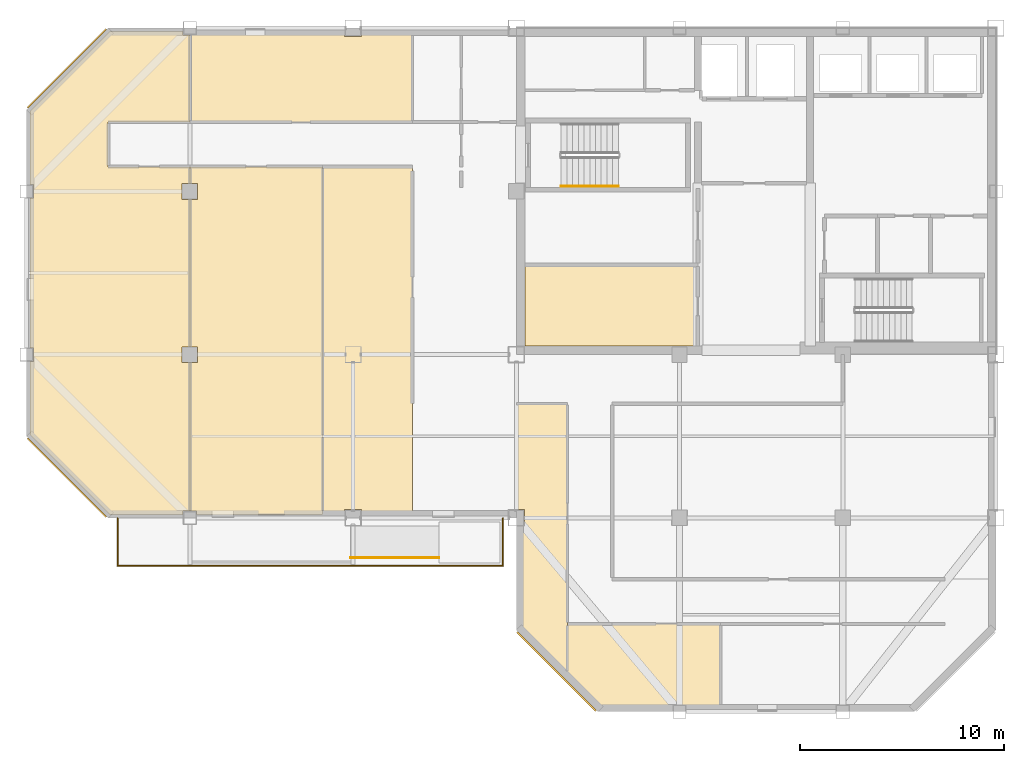
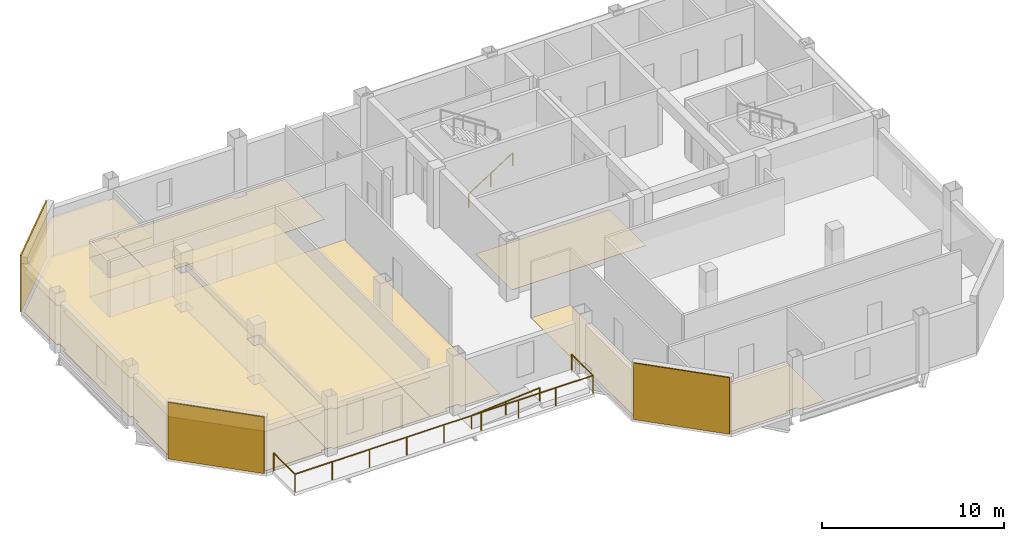
# One storey, part 5 of 7: 12 coverings, 3 railings.
"""IFC4 building model written with IfcOpenShell, lengths in metres."""

from ifc_helpers import new_model, si_unit, direction, frame, origin, origin_2d, place, context, subcontext, project, spatial, polyline, rectangle, circle, outline, extrude, material, layer, layer_set, type_object, element, save


model = new_model("IFC4")

# Units and contexts
model_context = context("Model", 3, precision=1e-05, world=origin(), true_north=direction((0.0, 1.0)))
body_context = subcontext(model_context, "Body", "Model", "MODEL_VIEW")
ifc_project = project(units=[si_unit("LENGTHUNIT", "METRE"), si_unit("AREAUNIT", "SQUARE_METRE"), si_unit("VOLUMEUNIT", "CUBIC_METRE"), si_unit("PLANEANGLEUNIT", "RADIAN"), si_unit("MASSUNIT", "GRAM", prefix="KILO")], contexts=[model_context])

# Site, building, storey
site_placement = place(None, origin())
site = spatial("IfcSite", under=ifc_project, at=site_placement, CompositionType="ELEMENT")
building_placement = place(site_placement, origin())
building = spatial("IfcBuilding", under=site, at=building_placement, Name="Qianrong Seaharbour Tower", CompositionType="ELEMENT")
storey_placement = place(building_placement, frame((0.0, 0.0, 323.199951171875)))
storey = spatial("IfcBuildingStorey", under=building, at=storey_placement, Name="L78", CompositionType="ELEMENT", Elevation=323.199951171875)

# Coverings
ifc_material_1 = material(Name="Mineral fibre acoustic suspended ceiling board")
ifc_layer_1 = layer(ifc_material_1, 0.0400390625)
ifc_layer_set_1 = layer_set([ifc_layer_1], Name="Mineral fibre acoustic suspended ceiling board")
covering_type_1 = type_object("IfcCoveringType", Name="COV-CEIL-ACOUSTIC-40", PredefinedType="CEILING", material=ifc_layer_set_1)
covering_1_placement = place(storey_placement, frame((0.0, 0.0, 2.625)))
element("IfcCovering", 1, at=covering_1_placement, inside=storey, type_object=covering_type_1, Name="L78 West Harbour Open-Plan Office Acoustic Ceiling", PredefinedType="CEILING", context=body_context, shape_type="SweptSolid", body=[
    extrude(outline(polyline([(16.675048828125, 32.072509765625), (16.675048828125, 35.6650390625), (16.8349609375, 35.6650390625), (16.8349609375, 36.3349609375), (16.675048828125, 36.3349609375), (16.675048828125, 43.6650390625), (16.8349609375, 43.6650390625), (16.8349609375, 44.3349609375), (16.675048828125, 44.3349609375), (16.675048828125, 47.927490234375), (20.572509765625, 51.824951171875), (24.1650390625, 51.824951171875), (24.1650390625, 51.6650390625), (24.5, 51.6650390625), (24.5, 47.39990234375), (20.5, 47.39990234375), (20.5, 45.199951171875), (24.5, 45.199951171875), (24.5, 44.385009765625), (24.114990234375, 44.385009765625), (24.114990234375, 43.614990234375), (24.5, 43.614990234375), (24.5, 36.385009765625), (24.114990234375, 36.385009765625), (24.114990234375, 35.614990234375), (24.5, 35.614990234375), (24.5, 28.3349609375), (24.1650390625, 28.3349609375), (24.1650390625, 28.175048828125), (20.572509765625, 28.175048828125), (16.675048828125, 32.072509765625)])), origin(), (0.0, 0.0, 1.0), 0.0400390625),
])
ifc_material_2 = material(Name="Perforated acoustic gypsum ceiling board")
ifc_layer_2 = layer(ifc_material_2, 0.050048828125)
ifc_layer_set_2 = layer_set([ifc_layer_2], Name="Perforated acoustic gypsum ceiling board")
covering_type_2 = type_object("IfcCoveringType", Name="COV-CEIL-GYPSUM-50", PredefinedType="CEILING", material=ifc_layer_set_2)
covering_2_placement = place(storey_placement, frame((0.0, 0.0, 2.614990234375)))
element("IfcCovering", 2, at=covering_2_placement, inside=storey, type_object=covering_type_2, Name="L78 Project Library 1 Acoustic Ceiling", PredefinedType="CEILING", context=body_context, shape_type="SweptSolid", body=[
    extrude(outline(polyline([(24.8349609375, 28.175048828125), (24.8349609375, 28.3349609375), (24.5, 28.3349609375), (24.5, 35.614990234375), (24.885009765625, 35.614990234375), (24.885009765625, 36.385009765625), (24.5, 36.385009765625), (24.5, 43.614990234375), (24.885009765625, 43.614990234375), (24.885009765625, 44.385009765625), (24.5, 44.385009765625), (24.5, 45.199951171875), (31.0, 45.199951171875), (31.0, 28.175048828125), (24.8349609375, 28.175048828125)])), origin(), (0.0, 0.0, 1.0), 0.050048828125),
])
ifc_material_3 = material(Name="Unitised red brick cladding on Precast concrete C45/55", Category="masonry")
ifc_layer_3 = layer(ifc_material_3, 0.080078125)
ifc_layer_set_3 = layer_set([ifc_layer_3], Name="Unitised red brick cladding on Precast concrete C45/55")
covering_type_3 = type_object("IfcCoveringType", Name="COV-CLAD-RED-BRICK-80", PredefinedType="CLADDING", material=ifc_layer_set_3)
for number, where, z_axis, x_axis, name in (
    (3, (18.4716796875, 29.9716796875, 0.0), (0.0, 0.0, 1.0), (-0.707106781187, 0.707106781187, 0.0), "L78 Chamfer Corner Brick Cladding 02"),
    (4, (18.4716796875, 50.0283203125, 0.0), (0.0, 0.0, 1.0), (0.707106781187, 0.707106781187, 0.0), "L78 Chamfer Corner Brick Cladding 04"),
    (5, (42.4716796875, 20.4716796875, 0.0), (0.0, 0.0, 1.0), (-0.707106781187, 0.707106781187, 0.0), "L78 Chamfer Corner Brick Cladding 09"),
):
    element("IfcCovering", number, at=place(storey_placement, frame(where, z_axis=z_axis, x_axis=x_axis)), inside=storey, type_object=covering_type_3, Name=name, PredefinedType="CLADDING", context=body_context, shape_type="SweptSolid", body=[
        extrude(rectangle(XDim=5.456787109375, YDim=0.080078125, at=origin_2d()), origin(), (0.0, 0.0, 1.0), 3.784912109375),
    ])
ifc_material_4 = material(Name="Acoustic modular carpet tile flooring")
ifc_layer_4 = layer(ifc_material_4, 0.02001953125)
ifc_layer_set_4 = layer_set([ifc_layer_4], Name="Acoustic modular carpet tile flooring")
covering_type_4 = type_object("IfcCoveringType", Name="COV-FLOOR-CARPET-20", PredefinedType="FLOORING", material=ifc_layer_set_4)
covering_3_placement = place(storey_placement, origin())
element("IfcCovering", 6, at=covering_3_placement, inside=storey, type_object=covering_type_4, Name="L78 Corporate Archive Room Finish Flooring", PredefinedType="FLOORING", context=body_context, shape_type="SweptSolid", body=[
    extrude(outline(polyline([(49.39990234375, 40.39990234375), (49.39990234375, 36.419921875), (40.919921875, 36.419921875), (40.919921875, 40.39990234375), (49.39990234375, 40.39990234375)])), origin(), (0.0, 0.0, 1.0), 0.02001953125),
])
covering_4_placement = place(storey_placement, origin())
element("IfcCovering", 7, at=covering_4_placement, inside=storey, type_object=covering_type_4, Name="L78 Corporate Archive Room Finish Flooring", PredefinedType="FLOORING", context=body_context, shape_type="SweptSolid", body=[
    extrude(outline(polyline([(24.5, 51.6650390625), (24.8349609375, 51.6650390625), (24.8349609375, 51.824951171875), (32.090087890625, 51.824951171875), (32.090087890625, 51.590087890625), (32.909912109375, 51.590087890625), (32.909912109375, 51.824951171875), (35.39990234375, 51.824951171875), (35.39990234375, 47.39990234375), (24.5, 47.39990234375), (24.5, 51.6650390625)])), origin(), (0.0, 0.0, 1.0), 0.02001953125),
])
covering_5_placement = place(storey_placement, origin())
element("IfcCovering", 8, at=covering_5_placement, inside=storey, type_object=covering_type_4, Name="L78 Project Library 1 Finish Flooring", PredefinedType="FLOORING", context=body_context, shape_type="SweptSolid", body=[
    extrude(outline(polyline([(24.8349609375, 28.175048828125), (24.8349609375, 28.3349609375), (24.5, 28.3349609375), (24.5, 35.614990234375), (24.885009765625, 35.614990234375), (24.885009765625, 36.385009765625), (24.5, 36.385009765625), (24.5, 43.614990234375), (24.885009765625, 43.614990234375), (24.885009765625, 44.385009765625), (24.5, 44.385009765625), (24.5, 45.199951171875), (31.0, 45.199951171875), (31.0, 28.175048828125), (24.8349609375, 28.175048828125)])), origin(), (0.0, 0.0, 1.0), 0.02001953125),
])
covering_6_placement = place(storey_placement, origin())
element("IfcCovering", 9, at=covering_6_placement, inside=storey, type_object=covering_type_4, Name="L78 Digital Media Hall 2 Finish Flooring", PredefinedType="FLOORING", context=body_context, shape_type="SweptSolid", body=[
    extrude(outline(polyline([(32.909912109375, 28.175048828125), (32.909912109375, 28.409912109375), (32.090087890625, 28.409912109375), (32.090087890625, 28.175048828125), (31.0, 28.175048828125), (31.0, 45.199951171875), (35.39990234375, 45.199951171875), (35.39990234375, 28.175048828125), (32.909912109375, 28.175048828125)])), origin(), (0.0, 0.0, 1.0), 0.02001953125),
])
covering_7_placement = place(storey_placement, origin())
element("IfcCovering", 10, at=covering_7_placement, inside=storey, type_object=covering_type_4, Name="L78 Wet Pantry Finish Flooring", PredefinedType="FLOORING", context=body_context, shape_type="SweptSolid", body=[
    extrude(outline(polyline([(43.0, 20.24755859375), (40.675048828125, 22.572509765625), (40.675048828125, 27.590087890625), (40.909912109375, 27.590087890625), (40.909912109375, 28.409912109375), (40.5, 28.409912109375), (40.5, 33.60009765625), (43.0, 33.60009765625), (43.0, 20.24755859375)])), origin(), (0.0, 0.0, 1.0), 0.02001953125),
])
covering_8_placement = place(storey_placement, origin())
element("IfcCovering", 11, at=covering_8_placement, inside=storey, type_object=covering_type_4, Name="L78 Harbour Symposium Hall 1 Finish Flooring", PredefinedType="FLOORING", context=body_context, shape_type="SweptSolid", body=[
    extrude(outline(polyline([(50.5, 18.675048828125), (48.8349609375, 18.675048828125), (48.8349609375, 18.8349609375), (48.1650390625, 18.8349609375), (48.1650390625, 18.675048828125), (44.572509765625, 18.675048828125), (43.0, 20.24755859375), (43.0, 22.800048828125), (50.5, 22.800048828125), (50.5, 18.675048828125)])), origin(), (0.0, 0.0, 1.0), 0.02001953125),
])
ifc_material_5 = material(Name="Calcium-sulphate raised access floor tile")
ifc_layer_5 = layer(ifc_material_5, 0.044921875)
ifc_layer_set_5 = layer_set([ifc_layer_5], Name="Calcium-sulphate raised access floor tile")
covering_type_5 = type_object("IfcCoveringType", Name="COV-FLOOR-RAISED-45", PredefinedType="FLOORING", material=ifc_layer_set_5)
covering_9_placement = place(storey_placement, origin())
element("IfcCovering", 12, at=covering_9_placement, inside=storey, type_object=covering_type_5, Name="L78 West Harbour Open-Plan Office Finish Flooring", PredefinedType="FLOORING", context=body_context, shape_type="SweptSolid", body=[
    extrude(outline(polyline([(16.675048828125, 32.072509765625), (16.675048828125, 35.6650390625), (16.8349609375, 35.6650390625), (16.8349609375, 36.3349609375), (16.675048828125, 36.3349609375), (16.675048828125, 43.6650390625), (16.8349609375, 43.6650390625), (16.8349609375, 44.3349609375), (16.675048828125, 44.3349609375), (16.675048828125, 47.927490234375), (20.572509765625, 51.824951171875), (24.1650390625, 51.824951171875), (24.1650390625, 51.6650390625), (24.5, 51.6650390625), (24.5, 47.39990234375), (20.5, 47.39990234375), (20.5, 45.199951171875), (24.5, 45.199951171875), (24.5, 44.385009765625), (24.114990234375, 44.385009765625), (24.114990234375, 43.614990234375), (24.5, 43.614990234375), (24.5, 36.385009765625), (24.114990234375, 36.385009765625), (24.114990234375, 35.614990234375), (24.5, 35.614990234375), (24.5, 28.3349609375), (24.1650390625, 28.3349609375), (24.1650390625, 28.175048828125), (20.572509765625, 28.175048828125), (16.675048828125, 32.072509765625)])), origin(), (0.0, 0.0, 1.0), 0.045166015625),
])

# Railings
ifc_material_6 = material(Name="Stainless steel SUS316L tubular handrail", Category="steel")
railing_type_1 = type_object("IfcRailingType", Name="RAIL-RAMP-HANDRAIL-900", PredefinedType="HANDRAIL", material=ifc_material_6)
railing_1_placement = place(storey_placement, frame((32.3798828125, 26.050048828125, 0.0)))
element("IfcRailing", 13, at=railing_1_placement, inside=storey, type_object=railing_type_1, Name="L78 Harbourfront Ribbon Ramp Handrail", PredefinedType="HANDRAIL", context=body_context, shape_type="SweptSolid", body=[
    extrude(circle(Radius=0.02392578125, at=origin_2d()), frame((0.0, 0.0, 0.8759765625), z_axis=(0.996543815979, 0.0, 0.083068783756), x_axis=(0.0, 1.0, 0.0)), (0.0, 0.0, 1.0), 4.3349609375),
    extrude(circle(Radius=0.02099609375, at=origin_2d()), origin(), (0.0, 0.0, 1.0), 0.851806640625),
    extrude(circle(Radius=0.02099609375, at=origin_2d()), frame((2.16015625, 0.0, 0.18017578125)), (0.0, 0.0, 1.0), 0.851806640625),
    extrude(circle(Radius=0.02099609375, at=origin_2d()), frame((4.320068359375, 0.0, 0.360107421875)), (0.0, 0.0, 1.0), 0.851806640625),
])
ifc_material_7 = material(Name="Stainless steel SUS316L continuous handrail", Category="steel")
railing_type_2 = type_object("IfcRailingType", Name="RAIL-STAIR-HANDRAIL-900", PredefinedType="HANDRAIL", material=ifc_material_7)
railing_2_placement = place(storey_placement, frame((42.699951171875, 44.25, 0.181884765625)))
element("IfcRailing", 14, at=railing_2_placement, inside=storey, type_object=railing_type_2, Name="L78 ST-1 stair handrail 1", PredefinedType="HANDRAIL", context=body_context, shape_type="SweptSolid", body=[
    extrude(circle(Radius=0.02392578125, at=origin_2d()), frame((0.0, 0.0, 0.8759765625), z_axis=(0.838705829183, 0.0, 0.544584733623), x_axis=(0.0, 1.0, 0.0)), (0.0, 0.0, 1.0), 3.338623046875),
    extrude(circle(Radius=0.02099609375, at=origin_2d()), origin(), (0.0, 0.0, 1.0), 0.851806640625),
    extrude(circle(Radius=0.02099609375, at=origin_2d()), frame((1.39990234375, 0.0, 0.9091796875)), (0.0, 0.0, 1.0), 0.851806640625),
    extrude(circle(Radius=0.02099609375, at=origin_2d()), frame((2.800048828125, 0.0, 1.818115234375)), (0.0, 0.0, 1.0), 0.851806640625),
])
ifc_material_8 = material(Name="Stainless steel SUS316L and laminated safety glass balustrade", Category="steel")
railing_type_3 = type_object("IfcRailingType", Name="RAIL-TERRACE-GUARD-1220", PredefinedType="GUARDRAIL", material=ifc_material_8)
railing_3_placement = place(storey_placement, frame((20.9599609375, 27.97998046875, 0.0)))
element("IfcRailing", 15, at=railing_3_placement, inside=storey, type_object=railing_type_3, Name="L78 Harbourfront Ribbon Gallery Guardrail", PredefinedType="GUARDRAIL", context=body_context, shape_type="SweptSolid", body=[
    extrude(circle(Radius=0.02392578125, at=origin_2d()), frame((0.0, 0.0, 1.19580078125), z_axis=(0.0, -1.0, 0.0), x_axis=(1.0, 0.0, 0.0)), (0.0, 0.0, 1.0), 2.320068359375),
    extrude(circle(Radius=0.02392578125, at=origin_2d()), frame((0.0, -2.320068359375, 1.19580078125), z_axis=(1.0, 0.0, 0.0), x_axis=(0.0, 1.0, 0.0)), (0.0, 0.0, 1.0), 18.880126953125),
    extrude(circle(Radius=0.02392578125, at=origin_2d()), frame((18.880126953125, -2.320068359375, 1.19580078125), z_axis=(0.0, 1.0, 0.0), x_axis=(-1.0, 0.0, 0.0)), (0.0, 0.0, 1.0), 2.320068359375),
    extrude(circle(Radius=0.02099609375, at=origin_2d()), origin(), (0.0, 0.0, 1.0), 1.171875),
    extrude(circle(Radius=0.02099609375, at=origin_2d()), frame((0.0, -2.320068359375, 0.0)), (0.0, 0.0, 1.0), 1.171875),
    extrude(circle(Radius=0.02099609375, at=origin_2d()), frame((2.360107421875, -2.320068359375, 0.0)), (0.0, 0.0, 1.0), 1.171875),
    extrude(circle(Radius=0.02099609375, at=origin_2d()), frame((4.719970703125, -2.320068359375, 0.0)), (0.0, 0.0, 1.0), 1.171875),
    extrude(circle(Radius=0.02099609375, at=origin_2d()), frame((7.080078125, -2.320068359375, 0.0)), (0.0, 0.0, 1.0), 1.171875),
    extrude(circle(Radius=0.02099609375, at=origin_2d()), frame((9.43994140625, -2.320068359375, 0.0)), (0.0, 0.0, 1.0), 1.171875),
    extrude(circle(Radius=0.02099609375, at=origin_2d()), frame((11.800048828125, -2.320068359375, 0.0)), (0.0, 0.0, 1.0), 1.171875),
    extrude(circle(Radius=0.02099609375, at=origin_2d()), frame((14.16015625, -2.320068359375, 0.0)), (0.0, 0.0, 1.0), 1.171875),
    extrude(circle(Radius=0.02099609375, at=origin_2d()), frame((16.52001953125, -2.320068359375, 0.0)), (0.0, 0.0, 1.0), 1.171875),
    extrude(circle(Radius=0.02099609375, at=origin_2d()), frame((18.880126953125, -2.320068359375, 0.0)), (0.0, 0.0, 1.0), 1.171875),
    extrude(circle(Radius=0.02099609375, at=origin_2d()), frame((18.880126953125, 0.0, 0.0)), (0.0, 0.0, 1.0), 1.171875),
])

save(model, "model.ifc")
